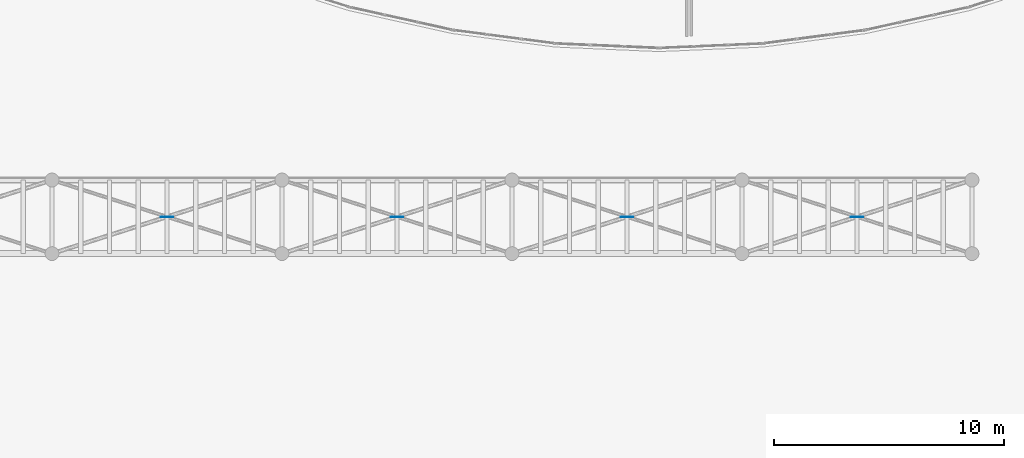
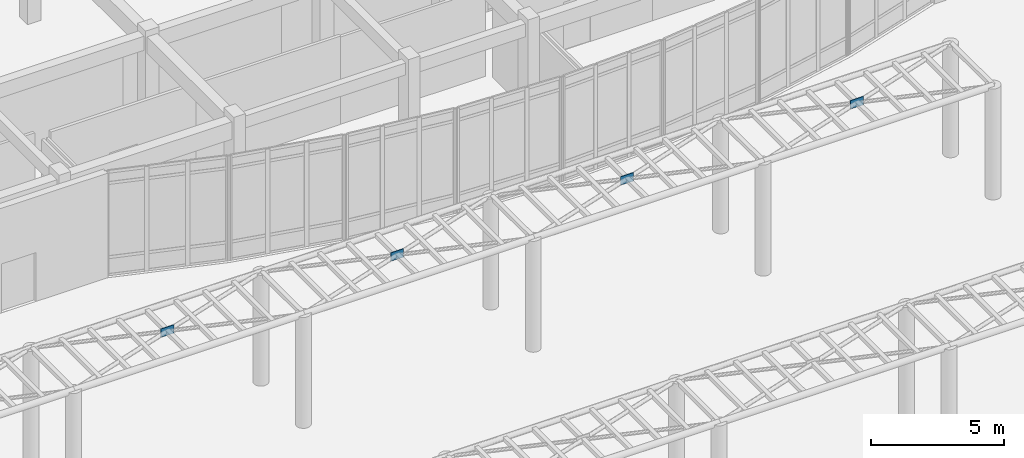
# One storey, part 94 of 121: 4 plates.
"""IFC4 building model written with IfcOpenShell, lengths in metres."""

from ifc_helpers import new_model, si_unit, direction, frame, origin, origin_2d, place, context, subcontext, project, spatial, rectangle, extrude, material, layer, layer_set, type_object, element, save


model = new_model("IFC4")

# Units and contexts
model_context = context("Model", 3, precision=1e-05, world=origin(), true_north=direction((0.0, 1.0)))
body_context = subcontext(model_context, "Body", "Model", "MODEL_VIEW")
ifc_project = project(units=[si_unit("LENGTHUNIT", "METRE"), si_unit("AREAUNIT", "SQUARE_METRE"), si_unit("VOLUMEUNIT", "CUBIC_METRE"), si_unit("PLANEANGLEUNIT", "RADIAN"), si_unit("MASSUNIT", "GRAM", prefix="KILO")], contexts=[model_context])

# Site, building, storey
site_placement = place(None, origin())
site = spatial("IfcSite", under=ifc_project, at=site_placement, CompositionType="ELEMENT")
building_placement = place(site_placement, origin())
building = spatial("IfcBuilding", under=site, at=building_placement, Name="Valcora Specialist Clinic", CompositionType="ELEMENT")
storey_placement = place(building_placement, origin())
storey = spatial("IfcBuildingStorey", under=building, at=storey_placement, Name="L00", CompositionType="ELEMENT", Elevation=0.0)

# Plates
ifc_material = material(Name="Steel ASTM A572 Grade 50", Category="steel")
ifc_layer = layer(ifc_material, 0.02294921875)
ifc_layer_set = layer_set([ifc_layer], Name="Steel ASTM A572 Grade 50")
plate_type = type_object("IfcPlateType", Name="TY-PL-GS6", PredefinedType="USERDEFINED", material=ifc_layer_set)
for number, where, z_axis, x_axis, name in (
    (1, (89.0, 63.60009765625, 4.85498046875), (0.0, 0.0, 1.0), (1.0, 0.0, 0.0), "Pergola X-brace crossing gusset 84-62"),
    (2, (99.0, 63.60009765625, 4.85498046875), (0.0, 0.0, 1.0), (1.0, 0.0, 0.0), "Pergola X-brace crossing gusset 94-62"),
    (3, (109.0, 63.60009765625, 4.85498046875), (0.0, 0.0, 1.0), (1.0, 0.0, 0.0), "Pergola X-brace crossing gusset 104-62"),
    (4, (119.0, 63.60009765625, 4.85498046875), (0.0, 0.0, 1.0), (1.0, 0.0, 0.0), "Pergola X-brace crossing gusset 114-62"),
):
    element("IfcPlate", number, at=place(storey_placement, frame(where, z_axis=z_axis, x_axis=x_axis)), inside=storey, type_object=plate_type, Name=name, ObjectType="GUSSET_PLATE", PredefinedType="USERDEFINED", context=body_context, shape_type="SweptSolid", body=[
        extrude(rectangle(XDim=0.56005859375, YDim=0.02294921875, at=origin_2d()), origin(), (0.0, 0.0, 1.0), 0.389892578125),
    ])

save(model, "model.ifc")
